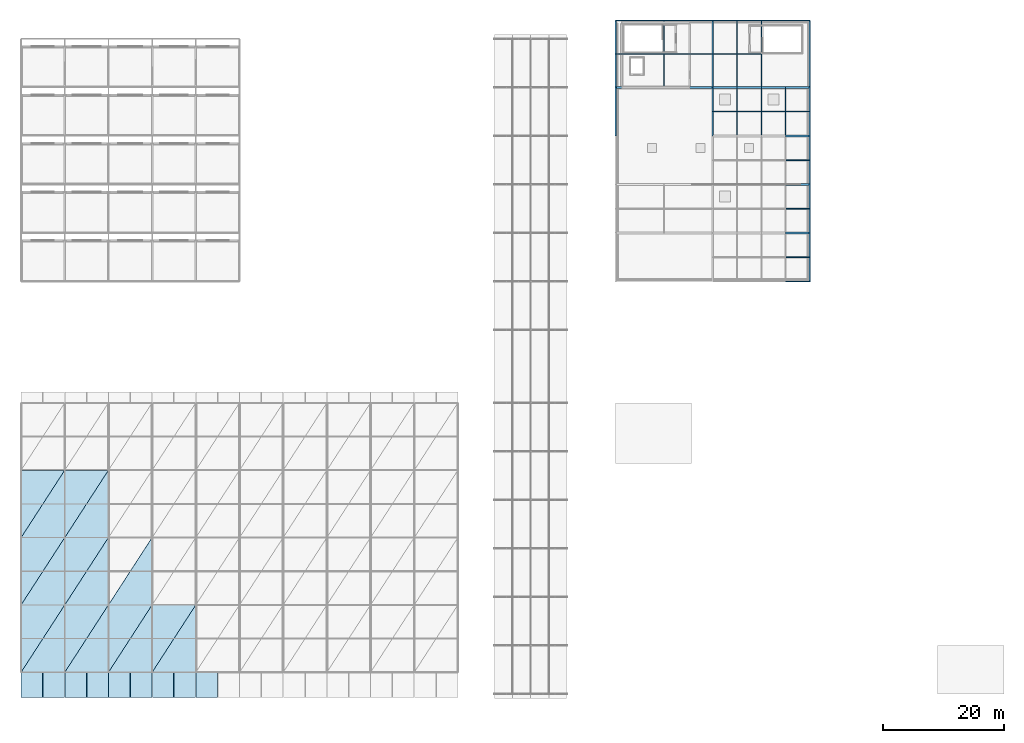
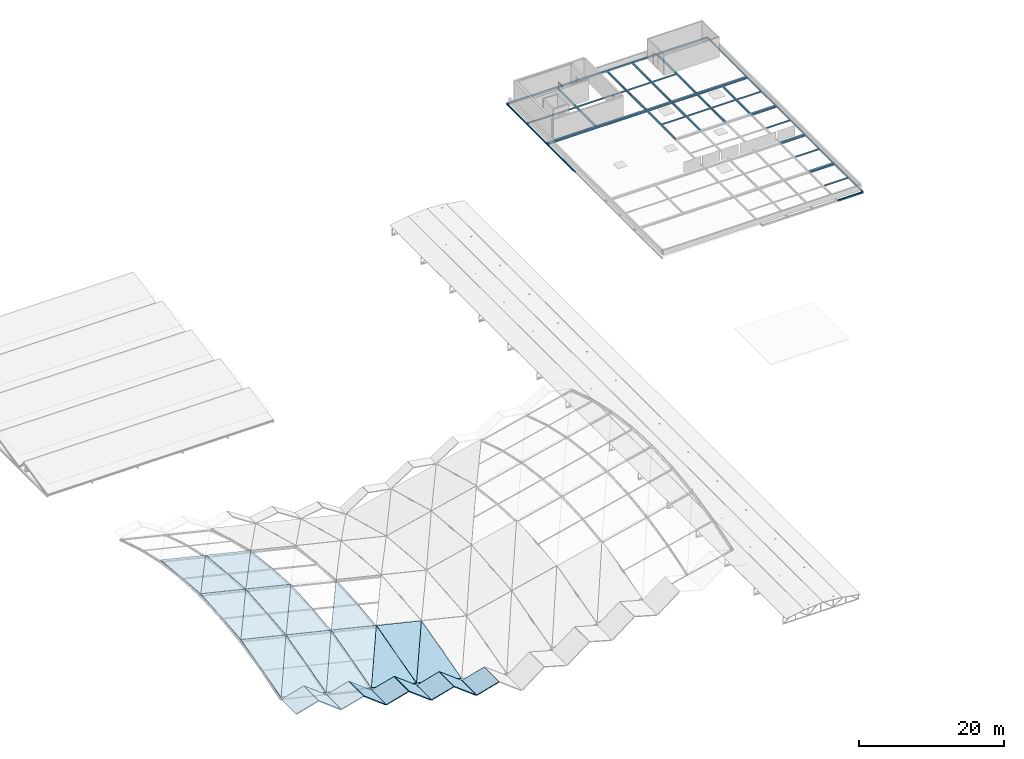
# One storey, part 48 of 54: 42 beams, 26 slabs.
"""IFC4 building model written with IfcOpenShell, lengths in metres."""

from ifc_helpers import new_model, si_unit, derived_unit, direction, frame, origin, origin_2d, place, context, subcontext, project, spatial, polyline, hollow_rectangle, i_section, outline, extrude, material, layer, layer_set, material_profile, profile_set, type_object, element, save


model = new_model("IFC4")

# Units and contexts
model_context = context("Model", 3, precision=1e-05, world=origin(), true_north=direction((0.0, 1.0)))
body_context = subcontext(model_context, "Body", "Model", "MODEL_VIEW")
ifc_project = project(units=[si_unit("LENGTHUNIT", "METRE"), si_unit("AREAUNIT", "SQUARE_METRE"), si_unit("VOLUMEUNIT", "CUBIC_METRE"), si_unit("PLANEANGLEUNIT", "RADIAN"), si_unit("MASSUNIT", "GRAM", prefix="KILO"), derived_unit("THERMALTRANSMITTANCEUNIT", [(si_unit("POWERUNIT", "WATT"), 1), (si_unit("LENGTHUNIT", "METRE"), -2), (si_unit("THERMODYNAMICTEMPERATUREUNIT", "KELVIN"), -1)])], contexts=[model_context])

# Site, building, storey
site_placement = place(None, origin())
site = spatial("IfcSite", under=ifc_project, at=site_placement, CompositionType="ELEMENT")
building_placement = place(site_placement, origin())
building = spatial("IfcBuilding", under=site, at=building_placement, Name="Keldorne Ridge Multi-Sports Centre", CompositionType="ELEMENT")
storey_placement = place(building_placement, frame((0.0, 0.0, 22.199951171875)))
storey = spatial("IfcBuildingStorey", under=building, at=storey_placement, Name="ROOF", CompositionType="ELEMENT", Elevation=22.199951171875)

# Beams
ifc_material = material(Name="Steel S355", Category="steel")
ifc_material_profile_1 = material_profile(ifc_material, i_section(OverallWidth=0.169921875, OverallDepth=0.360107421875, WebThickness=0.008056640625, FlangeThickness=0.0126953125, FilletRadius=0.01806640625, at=origin_2d()), Name="IPE 360")
ifc_profile_set_1 = profile_set([ifc_material_profile_1], Name="Steel S355")
beam_type_1 = type_object("IfcBeamType", Name="BM-B-05", PredefinedType="BEAM", material=ifc_profile_set_1)
beam_1_placement = place(storey_placement, frame((112.0, 106.0, -0.409912109375), z_axis=(0.0, 1.0, 0.0), x_axis=(-1.0, 0.0, 0.0)))
element("IfcBeam", 1, at=beam_1_placement, inside=storey, type_object=beam_type_1, Name="ROOF primary girder 112.5", PredefinedType="BEAM", context=body_context, shape_type="SweptSolid", body=[
    extrude(i_section(OverallWidth=0.169921875, OverallDepth=0.360107421875, WebThickness=0.008056640625, FlangeThickness=0.0126953125, FilletRadius=0.01806640625, at=origin_2d()), origin(), (0.0, 0.0, 1.0), 11.0),
])
beam_2_placement = place(storey_placement, frame((120.0, 98.0, -0.409912109375), z_axis=(0.0, 1.0, 0.0), x_axis=(-1.0, 0.0, 0.0)))
element("IfcBeam", 2, at=beam_2_placement, inside=storey, type_object=beam_type_1, Name="ROOF primary girder 120.4", PredefinedType="BEAM", context=body_context, shape_type="SweptSolid", body=[
    extrude(i_section(OverallWidth=0.169921875, OverallDepth=0.360107421875, WebThickness=0.008056640625, FlangeThickness=0.0126953125, FilletRadius=0.01806640625, at=origin_2d()), origin(), (0.0, 0.0, 1.0), 8.0),
])
beam_3_placement = place(storey_placement, frame((120.0, 106.0, -0.409912109375), z_axis=(0.0, 1.0, 0.0), x_axis=(-1.0, 0.0, 0.0)))
element("IfcBeam", 3, at=beam_3_placement, inside=storey, type_object=beam_type_1, Name="ROOF primary girder 120.5", PredefinedType="BEAM", context=body_context, shape_type="SweptSolid", body=[
    extrude(i_section(OverallWidth=0.169921875, OverallDepth=0.360107421875, WebThickness=0.008056640625, FlangeThickness=0.0126953125, FilletRadius=0.01806640625, at=origin_2d()), origin(), (0.0, 0.0, 1.0), 11.0),
])
beam_4_placement = place(storey_placement, frame((124.0, 98.0, -0.409912109375), z_axis=(0.0, 1.0, 0.0), x_axis=(-1.0, 0.0, 0.0)))
element("IfcBeam", 4, at=beam_4_placement, inside=storey, type_object=beam_type_1, Name="ROOF primary girder 124.4", PredefinedType="BEAM", context=body_context, shape_type="SweptSolid", body=[
    extrude(i_section(OverallWidth=0.169921875, OverallDepth=0.360107421875, WebThickness=0.008056640625, FlangeThickness=0.0126953125, FilletRadius=0.01806640625, at=origin_2d()), origin(), (0.0, 0.0, 1.0), 8.0),
])
beam_5_placement = place(storey_placement, frame((124.0, 106.0, -0.409912109375), z_axis=(0.0, 1.0, 0.0), x_axis=(-1.0, 0.0, 0.0)))
element("IfcBeam", 5, at=beam_5_placement, inside=storey, type_object=beam_type_1, Name="ROOF primary girder 124.5", PredefinedType="BEAM", context=body_context, shape_type="SweptSolid", body=[
    extrude(i_section(OverallWidth=0.169921875, OverallDepth=0.360107421875, WebThickness=0.008056640625, FlangeThickness=0.0126953125, FilletRadius=0.01806640625, at=origin_2d()), origin(), (0.0, 0.0, 1.0), 11.0),
])
beam_6_placement = place(storey_placement, frame((128.0, 98.0, -0.409912109375), z_axis=(0.0, 1.0, 0.0), x_axis=(-1.0, 0.0, 0.0)))
element("IfcBeam", 6, at=beam_6_placement, inside=storey, type_object=beam_type_1, Name="ROOF primary girder 128.4", PredefinedType="BEAM", context=body_context, shape_type="SweptSolid", body=[
    extrude(i_section(OverallWidth=0.169921875, OverallDepth=0.360107421875, WebThickness=0.008056640625, FlangeThickness=0.0126953125, FilletRadius=0.01806640625, at=origin_2d()), origin(), (0.0, 0.0, 1.0), 8.0),
])
beam_7_placement = place(storey_placement, frame((128.0, 106.0, -0.409912109375), z_axis=(0.0, 1.0, 0.0), x_axis=(-1.0, 0.0, 0.0)))
element("IfcBeam", 7, at=beam_7_placement, inside=storey, type_object=beam_type_1, Name="ROOF primary girder 128.5", PredefinedType="BEAM", context=body_context, shape_type="SweptSolid", body=[
    extrude(i_section(OverallWidth=0.169921875, OverallDepth=0.360107421875, WebThickness=0.008056640625, FlangeThickness=0.0126953125, FilletRadius=0.01806640625, at=origin_2d()), origin(), (0.0, 0.0, 1.0), 11.0),
])
beam_8_placement = place(storey_placement, frame((132.0, 98.0, -0.409912109375), z_axis=(0.0, 1.0, 0.0), x_axis=(-1.0, 0.0, 0.0)))
element("IfcBeam", 8, at=beam_8_placement, inside=storey, type_object=beam_type_1, Name="ROOF primary girder 132.4", PredefinedType="BEAM", context=body_context, shape_type="SweptSolid", body=[
    extrude(i_section(OverallWidth=0.169921875, OverallDepth=0.360107421875, WebThickness=0.008056640625, FlangeThickness=0.0126953125, FilletRadius=0.01806640625, at=origin_2d()), origin(), (0.0, 0.0, 1.0), 8.0),
])
ifc_material_profile_2 = material_profile(ifc_material, i_section(OverallWidth=0.300048828125, OverallDepth=0.360107421875, WebThickness=0.012451171875, FlangeThickness=0.0224609375, FilletRadius=0.027099609375, at=origin_2d()), Name="HEB 360")
ifc_profile_set_2 = profile_set([ifc_material_profile_2], Name="Steel S355")
beam_type_2 = type_object("IfcBeamType", Name="BM-B-13", PredefinedType="BEAM", material=ifc_profile_set_2)
for number, where, z_axis, x_axis, name in (
    (9, (132.0, 82.0, -0.409912109375), (1.0, 0.0, 0.0), (0.0, 1.0, 0.0), "ROOF primary beam 6.82"),
    (10, (132.0, 90.0, -0.409912109375), (1.0, 0.0, 0.0), (0.0, 1.0, 0.0), "ROOF primary beam 6.90"),
    (11, (132.0, 98.0, -0.409912109375), (1.0, 0.0, 0.0), (0.0, 1.0, 0.0), "ROOF primary beam 6.98"),
):
    element("IfcBeam", number, at=place(storey_placement, frame(where, z_axis=z_axis, x_axis=x_axis)), inside=storey, type_object=beam_type_2, Name=name, PredefinedType="BEAM", context=body_context, shape_type="SweptSolid", body=[
        extrude(i_section(OverallWidth=0.300048828125, OverallDepth=0.360107421875, WebThickness=0.012451171875, FlangeThickness=0.0224609375, FilletRadius=0.027099609375, at=origin_2d()), origin(), (0.0, 0.0, 1.0), 4.0),
    ])
for number, where, z_axis, x_axis, name in (
    (12, (104.0, 106.0, -0.409912109375), (1.0, 0.0, 0.0), (0.0, 1.0, 0.0), "ROOF primary beam 1.106"),
    (13, (112.0, 106.0, -0.409912109375), (1.0, 0.0, 0.0), (0.0, 1.0, 0.0), "ROOF primary beam 2.106"),
):
    element("IfcBeam", number, at=place(storey_placement, frame(where, z_axis=z_axis, x_axis=x_axis)), inside=storey, type_object=beam_type_2, Name=name, PredefinedType="BEAM", context=body_context, shape_type="SweptSolid", body=[
        extrude(i_section(OverallWidth=0.300048828125, OverallDepth=0.360107421875, WebThickness=0.012451171875, FlangeThickness=0.0224609375, FilletRadius=0.027099609375, at=origin_2d()), origin(), (0.0, 0.0, 1.0), 8.0),
    ])
for number, where, z_axis, x_axis, name in (
    (14, (120.0, 106.0, -0.409912109375), (1.0, 0.0, 0.0), (0.0, 1.0, 0.0), "ROOF primary beam 3.106"),
    (15, (124.0, 106.0, -0.409912109375), (1.0, 0.0, 0.0), (0.0, 1.0, 0.0), "ROOF primary beam 4.106"),
    (16, (128.0, 106.0, -0.409912109375), (1.0, 0.0, 0.0), (0.0, 1.0, 0.0), "ROOF primary beam 5.106"),
    (17, (132.0, 106.0, -0.409912109375), (1.0, 0.0, 0.0), (0.0, 1.0, 0.0), "ROOF primary beam 6.106"),
):
    element("IfcBeam", number, at=place(storey_placement, frame(where, z_axis=z_axis, x_axis=x_axis)), inside=storey, type_object=beam_type_2, Name=name, PredefinedType="BEAM", context=body_context, shape_type="SweptSolid", body=[
        extrude(i_section(OverallWidth=0.300048828125, OverallDepth=0.360107421875, WebThickness=0.012451171875, FlangeThickness=0.0224609375, FilletRadius=0.027099609375, at=origin_2d()), origin(), (0.0, 0.0, 1.0), 4.0),
    ])
ifc_material_profile_3 = material_profile(ifc_material, i_section(OverallWidth=0.1201171875, OverallDepth=0.239990234375, WebThickness=0.006103515625, FlangeThickness=0.009765625, FilletRadius=0.014892578125, at=origin_2d()), Name="IPE 240")
ifc_profile_set_3 = profile_set([ifc_material_profile_3], Name="Steel S355")
beam_type_3 = type_object("IfcBeamType", Name="BM-J-04", PredefinedType="JOIST", material=ifc_profile_set_3)
beam_9_placement = place(storey_placement, frame((104.074951171875, 111.5, -0.349853515625), z_axis=(1.0, 0.0, 0.0), x_axis=(0.0, 1.0, 0.0)))
element("IfcBeam", 18, at=beam_9_placement, inside=storey, type_object=beam_type_3, Name="ROOF secondary joist 1.5", PredefinedType="JOIST", context=body_context, shape_type="SweptSolid", body=[
    extrude(i_section(OverallWidth=0.1201171875, OverallDepth=0.239990234375, WebThickness=0.006103515625, FlangeThickness=0.009765625, FilletRadius=0.014892578125, at=origin_2d()), origin(), (0.0, 0.0, 1.0), 7.840087890625),
])
beam_10_placement = place(storey_placement, frame((112.0849609375, 111.5, -0.349853515625), z_axis=(1.0, 0.0, 0.0), x_axis=(0.0, 1.0, 0.0)))
element("IfcBeam", 19, at=beam_10_placement, inside=storey, type_object=beam_type_3, Name="ROOF secondary joist 2.5", PredefinedType="JOIST", context=body_context, shape_type="SweptSolid", body=[
    extrude(i_section(OverallWidth=0.1201171875, OverallDepth=0.239990234375, WebThickness=0.006103515625, FlangeThickness=0.009765625, FilletRadius=0.014892578125, at=origin_2d()), origin(), (0.0, 0.0, 1.0), 7.830078125),
])
for number, where, z_axis, x_axis, name in (
    (20, (120.0849609375, 102.0, -0.349853515625), (1.0, 0.0, 0.0), (0.0, 1.0, 0.0), "ROOF secondary joist 3.4"),
    (21, (120.0849609375, 111.5, -0.349853515625), (1.0, 0.0, 0.0), (0.0, 1.0, 0.0), "ROOF secondary joist 3.5"),
    (22, (124.0849609375, 102.0, -0.349853515625), (1.0, 0.0, 0.0), (0.0, 1.0, 0.0), "ROOF secondary joist 4.4"),
    (23, (124.0849609375, 111.5, -0.349853515625), (1.0, 0.0, 0.0), (0.0, 1.0, 0.0), "ROOF secondary joist 4.5"),
    (24, (128.0849609375, 102.0, -0.349853515625), (1.0, 0.0, 0.0), (0.0, 1.0, 0.0), "ROOF secondary joist 5.4"),
):
    element("IfcBeam", number, at=place(storey_placement, frame(where, z_axis=z_axis, x_axis=x_axis)), inside=storey, type_object=beam_type_3, Name=name, PredefinedType="JOIST", context=body_context, shape_type="SweptSolid", body=[
        extrude(i_section(OverallWidth=0.1201171875, OverallDepth=0.239990234375, WebThickness=0.006103515625, FlangeThickness=0.009765625, FilletRadius=0.014892578125, at=origin_2d()), origin(), (0.0, 0.0, 1.0), 3.830078125),
    ])
for number, where, z_axis, x_axis, name in (
    (25, (132.0849609375, 78.0, -0.349853515625), (1.0, 0.0, 0.0), (0.0, 1.0, 0.0), "ROOF secondary joist 6.1"),
    (26, (132.0849609375, 86.0, -0.349853515625), (1.0, 0.0, 0.0), (0.0, 1.0, 0.0), "ROOF secondary joist 6.2"),
    (27, (132.0849609375, 94.0, -0.349853515625), (1.0, 0.0, 0.0), (0.0, 1.0, 0.0), "ROOF secondary joist 6.3"),
    (28, (132.0849609375, 102.0, -0.349853515625), (1.0, 0.0, 0.0), (0.0, 1.0, 0.0), "ROOF secondary joist 6.4"),
):
    element("IfcBeam", number, at=place(storey_placement, frame(where, z_axis=z_axis, x_axis=x_axis)), inside=storey, type_object=beam_type_3, Name=name, PredefinedType="JOIST", context=body_context, shape_type="SweptSolid", body=[
        extrude(i_section(OverallWidth=0.1201171875, OverallDepth=0.239990234375, WebThickness=0.006103515625, FlangeThickness=0.009765625, FilletRadius=0.014892578125, at=origin_2d()), origin(), (0.0, 0.0, 1.0), 3.840087890625),
    ])
ifc_material_profile_4 = material_profile(ifc_material, hollow_rectangle(XDim=0.199951171875, YDim=0.300048828125, WallThickness=0.012451171875, InnerFilletRadius=0.012451171875, OuterFilletRadius=0.02490234375, at=origin_2d()), Name="RHS 300x200x12.5")
ifc_profile_set_4 = profile_set([ifc_material_profile_4], Name="Steel S355")
beam_type_4 = type_object("IfcBeamType", Name="BM-SP-01", PredefinedType="SPANDREL", material=ifc_profile_set_4)
beam_11_placement = place(storey_placement, frame((132.0, 74.0, -0.3798828125), z_axis=(1.0, 0.0, 0.0), x_axis=(0.0, 1.0, 0.0)))
element("IfcBeam", 29, at=beam_11_placement, inside=storey, type_object=beam_type_4, Name="ROOF primary beam 6.74", PredefinedType="SPANDREL", context=body_context, shape_type="SweptSolid", body=[
    extrude(hollow_rectangle(XDim=0.199951171875, YDim=0.300048828125, WallThickness=0.012451171875, InnerFilletRadius=0.012451171875, OuterFilletRadius=0.02490234375, at=origin_2d()), origin(), (0.0, 0.0, 1.0), 4.0),
])
for number, where, z_axis, x_axis, name in (
    (30, (104.0, 117.0, -0.3798828125), (1.0, 0.0, 0.0), (0.0, 1.0, 0.0), "ROOF primary beam 1.117"),
    (31, (112.0, 117.0, -0.3798828125), (1.0, 0.0, 0.0), (0.0, 1.0, 0.0), "ROOF primary beam 2.117"),
):
    element("IfcBeam", number, at=place(storey_placement, frame(where, z_axis=z_axis, x_axis=x_axis)), inside=storey, type_object=beam_type_4, Name=name, PredefinedType="SPANDREL", context=body_context, shape_type="SweptSolid", body=[
        extrude(hollow_rectangle(XDim=0.199951171875, YDim=0.300048828125, WallThickness=0.012451171875, InnerFilletRadius=0.012451171875, OuterFilletRadius=0.02490234375, at=origin_2d()), origin(), (0.0, 0.0, 1.0), 8.0),
    ])
for number, where, z_axis, x_axis, name in (
    (32, (120.0, 117.0, -0.3798828125), (1.0, 0.0, 0.0), (0.0, 1.0, 0.0), "ROOF primary beam 3.117"),
    (33, (124.0, 117.0, -0.3798828125), (1.0, 0.0, 0.0), (0.0, 1.0, 0.0), "ROOF primary beam 4.117"),
    (34, (128.0, 117.0, -0.3798828125), (1.0, 0.0, 0.0), (0.0, 1.0, 0.0), "ROOF primary beam 5.117"),
    (35, (132.0, 117.0, -0.3798828125), (1.0, 0.0, 0.0), (0.0, 1.0, 0.0), "ROOF primary beam 6.117"),
):
    element("IfcBeam", number, at=place(storey_placement, frame(where, z_axis=z_axis, x_axis=x_axis)), inside=storey, type_object=beam_type_4, Name=name, PredefinedType="SPANDREL", context=body_context, shape_type="SweptSolid", body=[
        extrude(hollow_rectangle(XDim=0.199951171875, YDim=0.300048828125, WallThickness=0.012451171875, InnerFilletRadius=0.012451171875, OuterFilletRadius=0.02490234375, at=origin_2d()), origin(), (0.0, 0.0, 1.0), 4.0),
    ])
ifc_material_profile_5 = material_profile(ifc_material, hollow_rectangle(XDim=0.14990234375, YDim=0.25, WallThickness=0.010009765625, InnerFilletRadius=0.010009765625, OuterFilletRadius=0.02001953125, at=origin_2d()), Name="RHS 250x150x10")
ifc_profile_set_5 = profile_set([ifc_material_profile_5], Name="Steel S355")
beam_type_5 = type_object("IfcBeamType", Name="BM-SP-02", PredefinedType="SPANDREL", material=ifc_profile_set_5)
beam_12_placement = place(storey_placement, frame((104.0, 98.0, -0.35498046875), z_axis=(0.0, 1.0, 0.0), x_axis=(-1.0, 0.0, 0.0)))
element("IfcBeam", 36, at=beam_12_placement, inside=storey, type_object=beam_type_5, Name="ROOF primary girder 104.4", PredefinedType="SPANDREL", context=body_context, shape_type="SweptSolid", body=[
    extrude(hollow_rectangle(XDim=0.14990234375, YDim=0.25, WallThickness=0.010009765625, InnerFilletRadius=0.010009765625, OuterFilletRadius=0.02001953125, at=origin_2d()), origin(), (0.0, 0.0, 1.0), 8.0),
])
beam_13_placement = place(storey_placement, frame((104.0, 106.0, -0.35498046875), z_axis=(0.0, 1.0, 0.0), x_axis=(-1.0, 0.0, 0.0)))
element("IfcBeam", 37, at=beam_13_placement, inside=storey, type_object=beam_type_5, Name="ROOF primary girder 104.5", PredefinedType="SPANDREL", context=body_context, shape_type="SweptSolid", body=[
    extrude(hollow_rectangle(XDim=0.14990234375, YDim=0.25, WallThickness=0.010009765625, InnerFilletRadius=0.010009765625, OuterFilletRadius=0.02001953125, at=origin_2d()), origin(), (0.0, 0.0, 1.0), 11.0),
])
for number, where, z_axis, x_axis, name in (
    (38, (136.0, 74.0, -0.35498046875), (0.0, 1.0, 0.0), (-1.0, 0.0, 0.0), "ROOF primary girder 136.1"),
    (39, (136.0, 82.0, -0.35498046875), (0.0, 1.0, 0.0), (-1.0, 0.0, 0.0), "ROOF primary girder 136.2"),
    (40, (136.0, 90.0, -0.35498046875), (0.0, 1.0, 0.0), (-1.0, 0.0, 0.0), "ROOF primary girder 136.3"),
    (41, (136.0, 98.0, -0.35498046875), (0.0, 1.0, 0.0), (-1.0, 0.0, 0.0), "ROOF primary girder 136.4"),
):
    element("IfcBeam", number, at=place(storey_placement, frame(where, z_axis=z_axis, x_axis=x_axis)), inside=storey, type_object=beam_type_5, Name=name, PredefinedType="SPANDREL", context=body_context, shape_type="SweptSolid", body=[
        extrude(hollow_rectangle(XDim=0.14990234375, YDim=0.25, WallThickness=0.010009765625, InnerFilletRadius=0.010009765625, OuterFilletRadius=0.02001953125, at=origin_2d()), origin(), (0.0, 0.0, 1.0), 8.0),
    ])
beam_14_placement = place(storey_placement, frame((136.0, 106.0, -0.35498046875), z_axis=(0.0, 1.0, 0.0), x_axis=(-1.0, 0.0, 0.0)))
element("IfcBeam", 42, at=beam_14_placement, inside=storey, type_object=beam_type_5, Name="ROOF primary girder 136.5", PredefinedType="SPANDREL", context=body_context, shape_type="SweptSolid", body=[
    extrude(hollow_rectangle(XDim=0.14990234375, YDim=0.25, WallThickness=0.010009765625, InnerFilletRadius=0.010009765625, OuterFilletRadius=0.02001953125, at=origin_2d()), origin(), (0.0, 0.0, 1.0), 11.0),
])

# Slabs
ifc_layer_1 = layer(ifc_material, 0.14990234375)
ifc_layer_set_1 = layer_set([ifc_layer_1], Name="Steel S355")
slab_type_1 = type_object("IfcSlabType", Name="SLB-SL-R02", PredefinedType="ROOF", material=ifc_layer_set_1)
slab_1_placement = place(storey_placement, frame((6.02001953125, 9.6201171875, -0.99755859375), z_axis=(0.224719073575, -0.254245323801, 0.940670321259), x_axis=(0.972631216488, 0.0, -0.23235429136)))
element("IfcSlab", 43, at=slab_1_placement, inside=storey, type_object=slab_type_1, Name="Main Hall upswept roof facet 001", PredefinedType="ROOF", context=body_context, shape_type="SweptSolid", body=[
    extrude(outline(polyline([(0.0, 0.0), (7.36138424101726, 0.0), (6.666817360301574, 11.435590708632322), (0.0, 0.0)])), origin(), (0.0, 0.0, -1.0), 0.14990234375),
])
slab_2_placement = place(storey_placement, frame((6.02001953125, 9.6201171875, -0.99755859375), z_axis=(0.224719073575, -0.254245323801, 0.940670321259), x_axis=(0.54089984726, 0.835520304864, 0.096608360894)))
element("IfcSlab", 44, at=slab_2_placement, inside=storey, type_object=slab_type_1, Name="Main Hall upswept roof facet 002", PredefinedType="ROOF", context=body_context, shape_type="SweptSolid", body=[
    extrude(outline(polyline([(0.0, 0.0), (13.23703851210596, -6.106226635438361e-16), (9.5294868411653, 6.3595627641530825), (0.0, 0.0)])), origin(), (0.0, 0.0, -1.0), 0.14990234375),
])
slab_3_placement = place(storey_placement, frame((6.02001953125, 20.719970703125, 1.998779296875), z_axis=(0.231467063194, -0.087305646427, 0.968917294075), x_axis=(0.972631216488, 0.0, -0.23235429136)))
element("IfcSlab", 45, at=slab_3_placement, inside=storey, type_object=slab_type_1, Name="Main Hall upswept roof facet 003", PredefinedType="ROOF", context=body_context, shape_type="SweptSolid", body=[
    extrude(outline(polyline([(0.0, 0.0), (7.36138424101726, -2.7755575615628914e-17), (7.1298241293640885, 11.102452510904282), (0.0, 0.0)])), origin(), (0.0, 0.0, -1.0), 0.14990234375),
])
slab_4_placement = place(storey_placement, frame((6.02001953125, 20.719970703125, 1.998779296875), z_axis=(0.231467063194, -0.087305646427, 0.968917294075), x_axis=(0.542637430571, 0.838222828101, -0.054102766972)))
element("IfcSlab", 46, at=slab_4_placement, inside=storey, type_object=slab_type_1, Name="Main Hall upswept roof facet 004", PredefinedType="ROOF", context=body_context, shape_type="SweptSolid", body=[
    extrude(outline(polyline([(0.0, 0.0), (13.194652093653213, -7.216449660063518e-16), (9.216875748010006, 6.194132165843622), (0.0, 0.0)])), origin(), (0.0, 0.0, -1.0), 0.14990234375),
])
slab_5_placement = place(storey_placement, frame((6.02001953125, 31.820068359375, 2.995361328125), z_axis=(0.231467024247, 0.087307558971, 0.968917131045), x_axis=(0.972631216488, 0.0, -0.23235429136)))
element("IfcSlab", 47, at=slab_5_placement, inside=storey, type_object=slab_type_1, Name="Main Hall upswept roof facet 005", PredefinedType="ROOF", context=body_context, shape_type="SweptSolid", body=[
    extrude(outline(polyline([(0.0, 0.0), (7.36138424101726, 2.7755575615628914e-17), (7.592944352670431, 11.102209302533177), (0.0, 0.0)])), origin(), (0.0, 0.0, -1.0), 0.14990234375),
])
slab_6_placement = place(storey_placement, frame((6.02001953125, 31.820068359375, 2.995361328125), z_axis=(0.231467024247, 0.087307558971, 0.968917131045), x_axis=(0.532321708534, 0.822269775916, -0.201261059918)))
element("IfcSlab", 48, at=slab_6_placement, inside=storey, type_object=slab_type_1, Name="Main Hall upswept roof facet 006", PredefinedType="ROOF", context=body_context, shape_type="SweptSolid", body=[
    extrude(outline(polyline([(0.0, 0.0), (13.450347777660026, -6.106226635438361e-16), (9.294724307945314, 6.076246499431496), (0.0, 0.0)])), origin(), (0.0, 0.0, -1.0), 0.14990234375),
])
slab_7_placement = place(storey_placement, frame((13.219970703125, 9.6201171875, -2.717529296875), z_axis=(0.224719073575, -0.254245323801, 0.940670321259), x_axis=(0.972631216488, 0.0, -0.23235429136)))
element("IfcSlab", 49, at=slab_7_placement, inside=storey, type_object=slab_type_1, Name="Main Hall upswept roof facet 009", PredefinedType="ROOF", context=body_context, shape_type="SweptSolid", body=[
    extrude(outline(polyline([(0.0, 0.0), (7.36138424101726, 0.0), (6.666817360301574, 11.435590708632322), (0.0, 0.0)])), origin(), (0.0, 0.0, -1.0), 0.14990234375),
])
slab_8_placement = place(storey_placement, frame((13.219970703125, 9.6201171875, -2.717529296875), z_axis=(0.224719073575, -0.254245323801, 0.940670321259), x_axis=(0.54089984726, 0.835520304864, 0.096608360894)))
element("IfcSlab", 50, at=slab_8_placement, inside=storey, type_object=slab_type_1, Name="Main Hall upswept roof facet 010", PredefinedType="ROOF", context=body_context, shape_type="SweptSolid", body=[
    extrude(outline(polyline([(0.0, 0.0), (13.23703851210596, -6.106226635438361e-16), (9.5294868411653, 6.3595627641530825), (0.0, 0.0)])), origin(), (0.0, 0.0, -1.0), 0.14990234375),
])
slab_9_placement = place(storey_placement, frame((13.219970703125, 20.719970703125, 0.27880859375), z_axis=(0.231467063194, -0.087305646427, 0.968917294075), x_axis=(0.972631216488, 0.0, -0.23235429136)))
element("IfcSlab", 51, at=slab_9_placement, inside=storey, type_object=slab_type_1, Name="Main Hall upswept roof facet 011", PredefinedType="ROOF", context=body_context, shape_type="SweptSolid", body=[
    extrude(outline(polyline([(0.0, 0.0), (7.36138424101726, -2.7755575615628914e-17), (7.1298241293640885, 11.102452510904282), (0.0, 0.0)])), origin(), (0.0, 0.0, -1.0), 0.14990234375),
])
slab_10_placement = place(storey_placement, frame((13.219970703125, 20.719970703125, 0.27880859375), z_axis=(0.231436226642, -0.087285088886, 0.968926512309), x_axis=(0.542637430571, 0.838222828101, -0.054102766972)))
element("IfcSlab", 52, at=slab_10_placement, inside=storey, type_object=slab_type_1, Name="Main Hall upswept roof facet 012", PredefinedType="ROOF", context=body_context, shape_type="SweptSolid", body=[
    extrude(outline(polyline([(0.0, 0.0), (13.194652093653213, -1.942890293094024e-16), (9.216888956693348, 6.194073235719975), (0.0, 0.0)])), origin(), (0.0, 0.0, -1.0), 0.14990234375),
])
slab_11_placement = place(storey_placement, frame((13.219970703125, 31.820068359375, 1.275146484375), z_axis=(0.231435755587, 0.087308226598, 0.968924540201), x_axis=(0.972638711175, 0.0, -0.232322916486)))
element("IfcSlab", 53, at=slab_11_placement, inside=storey, type_object=slab_type_1, Name="Main Hall upswept roof facet 013", PredefinedType="ROOF", context=body_context, shape_type="SweptSolid", body=[
    extrude(outline(polyline([(0.0, 0.0), (7.361327517725271, 0.0), (7.592856361742599, 11.10220995464196), (0.0, 0.0)])), origin(), (0.0, 0.0, -1.0), 0.14990234375),
])
slab_12_placement = place(storey_placement, frame((13.219970703125, 31.820068359375, 1.275146484375), z_axis=(0.231467456431, 0.08728633352, 0.968918940157), x_axis=(0.532323653102, 0.822272779663, -0.201243643808)))
element("IfcSlab", 54, at=slab_12_placement, inside=storey, type_object=slab_type_1, Name="Main Hall upswept roof facet 014", PredefinedType="ROOF", context=body_context, shape_type="SweptSolid", body=[
    extrude(outline(polyline([(0.0, 0.0), (13.450298643785054, 1.27675647831893e-15), (9.294691040502975, 6.076257350659322), (0.0, 0.0)])), origin(), (0.0, 0.0, -1.0), 0.14990234375),
])
slab_13_placement = place(storey_placement, frame((20.419921875, 9.6201171875, -4.4375), z_axis=(0.22471179822, -0.254245761569, 0.940671940936), x_axis=(0.972633006933, 0.0, -0.23234679646)))
element("IfcSlab", 55, at=slab_13_placement, inside=storey, type_object=slab_type_1, Name="Main Hall upswept roof facet 017", PredefinedType="ROOF", context=body_context, shape_type="SweptSolid", body=[
    extrude(outline(polyline([(0.0, 0.0), (7.361621700028911, 0.0), (6.6670772235023765, 11.435592069380203), (0.0, 0.0)])), origin(), (0.0, 0.0, -1.0), 0.14990234375),
])
slab_14_placement = place(storey_placement, frame((20.419921875, 9.6201171875, -4.4375), z_axis=(0.22471179822, -0.254245761569, 0.940671940936), x_axis=(0.540912894678, 0.835511969511, 0.096607397106)))
element("IfcSlab", 56, at=slab_14_placement, inside=storey, type_object=slab_type_1, Name="Main Hall upswept roof facet 018", PredefinedType="ROOF", context=body_context, shape_type="SweptSolid", body=[
    extrude(outline(polyline([(0.0, 0.0), (13.23717056932544, 1.4988010832439613e-15), (9.529391772696643, 6.35970521719415), (0.0, 0.0)])), origin(), (0.0, 0.0, -1.0), 0.14990234375),
])
slab_15_placement = place(storey_placement, frame((20.419921875, 20.719970703125, -1.441162109375), z_axis=(0.231459593665, -0.087305805916, 0.968919064088), x_axis=(0.972633006933, 0.0, -0.23234679646)))
element("IfcSlab", 57, at=slab_15_placement, inside=storey, type_object=slab_type_1, Name="Main Hall upswept roof facet 019", PredefinedType="ROOF", context=body_context, shape_type="SweptSolid", body=[
    extrude(outline(polyline([(0.0, 0.0), (7.361621700028911, 0.0), (7.130069057658663, 11.102452666686084), (0.0, 0.0)])), origin(), (0.0, 0.0, -1.0), 0.14990234375),
])
slab_16_placement = place(storey_placement, frame((27.6201171875, 9.6201171875, -6.157470703125), z_axis=(0.224719073575, -0.254245323801, 0.940670321259), x_axis=(0.972631216488, 0.0, -0.23235429136)))
element("IfcSlab", 58, at=slab_16_placement, inside=storey, type_object=slab_type_1, Name="Main Hall upswept roof facet 025", PredefinedType="ROOF", context=body_context, shape_type="SweptSolid", body=[
    extrude(outline(polyline([(0.0, 0.0), (7.36138424101726, 0.0), (6.666817360301574, 11.435590708632322), (0.0, 0.0)])), origin(), (0.0, 0.0, -1.0), 0.14990234375),
])
slab_17_placement = place(storey_placement, frame((27.6201171875, 9.6201171875, -6.157470703125), z_axis=(0.224689803964, -0.25422773336, 0.940682067218), x_axis=(0.54089984726, 0.835520304864, 0.096608360894)))
element("IfcSlab", 59, at=slab_17_placement, inside=storey, type_object=slab_type_1, Name="Main Hall upswept roof facet 026", PredefinedType="ROOF", context=body_context, shape_type="SweptSolid", body=[
    extrude(outline(polyline([(0.0, 0.0), (13.23703851210596, 5.551115123125783e-16), (9.52946325513969, 6.3594833545777), (0.0, 0.0)])), origin(), (0.0, 0.0, -1.0), 0.14990234375),
])
ifc_layer_2 = layer(ifc_material, 0.139892578125)
ifc_layer_set_2 = layer_set([ifc_layer_2], Name="Steel S355")
slab_type_2 = type_object("IfcSlabType", Name="SLB-SL-R03", PredefinedType="ROOF", material=ifc_layer_set_2)
slab_18_placement = place(storey_placement, frame((6.02001953125, 5.449951171875, -1.3046875), z_axis=(-0.270491765733, 0.0, 0.962722288446), x_axis=(0.962722288446, 0.0, 0.270491765733)))
element("IfcSlab", 60, at=slab_18_placement, inside=storey, type_object=slab_type_2, Name="South colonnade gable roof bay 1W", PredefinedType="ROOF", context=body_context, shape_type="SweptSolid", body=[
    extrude(outline(polyline([(0.0, 0.0), (3.6771134365387685, 0.0), (3.6771134365387685, 4.10009765625), (0.0, 4.10009765625), (0.0, 0.0)])), origin(), (0.0, 0.0, -1.0), 0.139892578125),
])
slab_19_placement = place(storey_placement, frame((9.639892578125, 5.449951171875, -0.31005859375), z_axis=(0.607165308747, 0.0, 0.794575539426), x_axis=(0.794575539426, 0.0, -0.607165308747)))
element("IfcSlab", 61, at=slab_19_placement, inside=storey, type_object=slab_type_2, Name="South colonnade gable roof bay 1E", PredefinedType="ROOF", context=body_context, shape_type="SweptSolid", body=[
    extrude(outline(polyline([(0.0, 0.0), (4.4552580426255215, 0.0), (4.4552580426255215, 4.10009765625), (0.0, 4.10009765625), (0.0, 0.0)])), origin(), (0.0, 0.0, -1.0), 0.139892578125),
])
slab_20_placement = place(storey_placement, frame((13.219970703125, 5.449951171875, -3.024658203125), z_axis=(-0.270491765733, 0.0, 0.962722288446), x_axis=(0.962722288446, 0.0, 0.270491765733)))
element("IfcSlab", 62, at=slab_20_placement, inside=storey, type_object=slab_type_2, Name="South colonnade gable roof bay 2W", PredefinedType="ROOF", context=body_context, shape_type="SweptSolid", body=[
    extrude(outline(polyline([(0.0, 0.0), (3.6771134365387685, 0.0), (3.6771134365387685, 4.10009765625), (0.0, 4.10009765625), (0.0, 0.0)])), origin(), (0.0, 0.0, -1.0), 0.139892578125),
])
slab_21_placement = place(storey_placement, frame((16.840087890625, 5.449951171875, -2.030029296875), z_axis=(0.607191746389, 0.0, 0.794555336724), x_axis=(0.794555336724, 0.0, -0.607191746389)))
element("IfcSlab", 63, at=slab_21_placement, inside=storey, type_object=slab_type_2, Name="South colonnade gable roof bay 2E", PredefinedType="ROOF", context=body_context, shape_type="SweptSolid", body=[
    extrude(outline(polyline([(0.0, 0.0), (4.455064056922813, 0.0), (4.455064056922813, 4.100097656250001), (0.0, 4.100097656250001), (0.0, 0.0)])), origin(), (0.0, 0.0, -1.0), 0.139892578125),
])
slab_22_placement = place(storey_placement, frame((20.419921875, 5.449951171875, -4.744873046875), z_axis=(-0.270553300899, 0.0, 0.962704997064), x_axis=(0.962704997064, 0.0, 0.270553300899)))
element("IfcSlab", 64, at=slab_22_placement, inside=storey, type_object=slab_type_2, Name="South colonnade gable roof bay 3W", PredefinedType="ROOF", context=body_context, shape_type="SweptSolid", body=[
    extrude(outline(polyline([(0.0, 0.0), (3.6771794820791963, 0.0), (3.6771794820791963, 4.100097656250001), (0.0, 4.100097656250001), (0.0, 0.0)])), origin(), (0.0, 0.0, -1.0), 0.139892578125),
])
slab_23_placement = place(storey_placement, frame((24.0400390625, 5.449951171875, -3.75), z_axis=(0.607165308747, 0.0, 0.794575539426), x_axis=(0.794575539426, 0.0, -0.607165308747)))
element("IfcSlab", 65, at=slab_23_placement, inside=storey, type_object=slab_type_2, Name="South colonnade gable roof bay 3E", PredefinedType="ROOF", context=body_context, shape_type="SweptSolid", body=[
    extrude(outline(polyline([(0.0, 0.0), (4.4552580426255215, 0.0), (4.4552580426255215, 4.10009765625), (0.0, 4.10009765625), (0.0, 0.0)])), origin(), (0.0, 0.0, -1.0), 0.139892578125),
])
slab_24_placement = place(storey_placement, frame((27.6201171875, 5.449951171875, -6.46484375), z_axis=(-0.270570594998, 0.0, 0.962700136658), x_axis=(0.962700136658, 0.0, 0.270570594998)))
element("IfcSlab", 66, at=slab_24_placement, inside=storey, type_object=slab_type_2, Name="South colonnade gable roof bay 4W", PredefinedType="ROOF", context=body_context, shape_type="SweptSolid", body=[
    extrude(outline(polyline([(0.0, 0.0), (3.6769444472728146, 0.0), (3.6769444472728146, 4.10009765625), (0.0, 4.10009765625), (0.0, 0.0)])), origin(), (0.0, 0.0, -1.0), 0.139892578125),
])
slab_25_placement = place(storey_placement, frame((31.239990234375, 5.449951171875, -5.469970703125), z_axis=(0.607165308747, 0.0, 0.794575539426), x_axis=(0.794575539426, 0.0, -0.607165308747)))
element("IfcSlab", 67, at=slab_25_placement, inside=storey, type_object=slab_type_2, Name="South colonnade gable roof bay 4E", PredefinedType="ROOF", context=body_context, shape_type="SweptSolid", body=[
    extrude(outline(polyline([(0.0, 0.0), (4.4552580426255215, 0.0), (4.4552580426255215, 4.10009765625), (0.0, 4.10009765625), (0.0, 0.0)])), origin(), (0.0, 0.0, -1.0), 0.139892578125),
])
slab_26_placement = place(storey_placement, frame((34.820068359375, 5.449951171875, -8.184814453125), z_axis=(-0.270553300899, 0.0, 0.962704997064), x_axis=(0.962704997064, 0.0, 0.270553300899)))
element("IfcSlab", 68, at=slab_26_placement, inside=storey, type_object=slab_type_2, Name="South colonnade gable roof bay 5W", PredefinedType="ROOF", context=body_context, shape_type="SweptSolid", body=[
    extrude(outline(polyline([(0.0, 0.0), (3.6771794820791963, 0.0), (3.6771794820791963, 4.100097656250001), (0.0, 4.100097656250001), (0.0, 0.0)])), origin(), (0.0, 0.0, -1.0), 0.139892578125),
])

save(model, "model.ifc")
